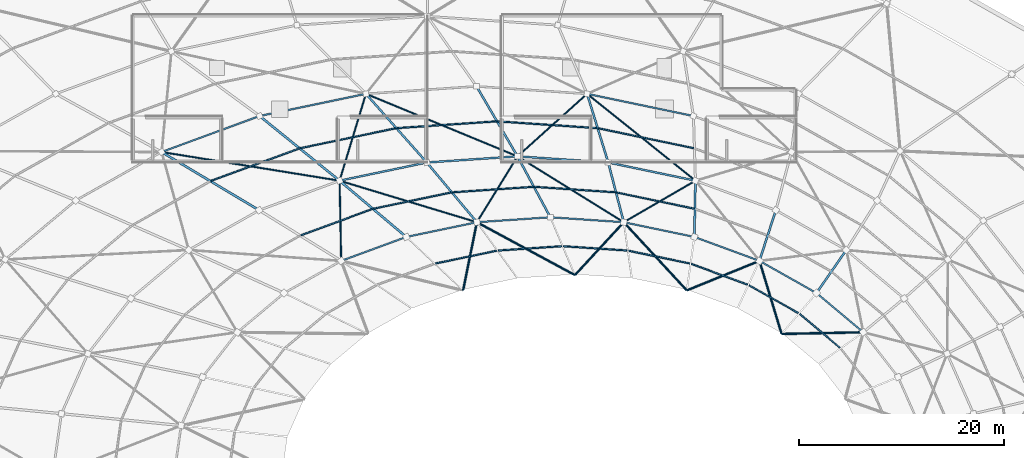
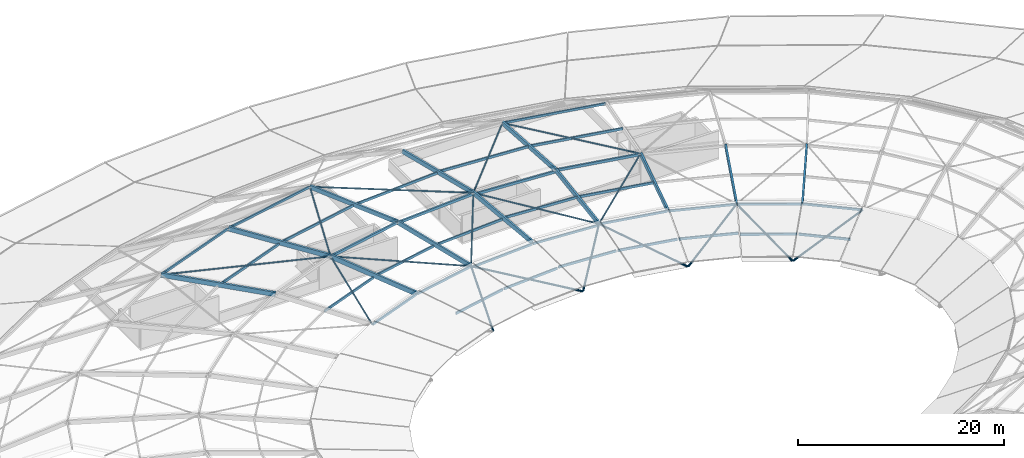
# One storey, part 7 of 30: 61 members.
"""IFC4 building model written with IfcOpenShell, lengths in metres."""

import ifcopenshell
import ifcopenshell.guid

model = None  # the IFC model being written
_history = None  # IfcOwnerHistory: only IFC2X3 demands one
_inside = {}  # id of a spatial element -> (the spatial element, [elements in it])
_under = {}  # id of a project, library or spatial element -> (it, [spatial elements below it])
_declared = {}  # id of a project -> (the project, [libraries it declares])
_typed = {}  # id of a type object -> (the type object, [elements of that type])
_made_of = {}  # id of a material, layer set ... -> (it, [elements and type objects made of it])


def new_model(schema):
    """Start an empty IFC model of exactly this schema.

    Asked for "IFC4X3", IfcOpenShell would pick the latest addendum, in which some entities
    have other attributes; the version numbers below select the first issue.
    IFC2X3 requires an IfcOwnerHistory on every rooted entity: one is made here for all.
    """
    global model, _history
    if schema == "IFC4X3":
        model = ifcopenshell.file(schema_version=(4, 3, 0, 0))
    else:
        model = ifcopenshell.file(schema=schema)
    _inside.clear()
    _under.clear()
    _declared.clear()
    _typed.clear()
    _made_of.clear()
    _history = None
    if model.schema == "IFC2X3":
        org = make("IfcOrganization", Name="unknown")
        user = make(
            "IfcPersonAndOrganization",
            ThePerson=make("IfcPerson", FamilyName="unknown"),
            TheOrganization=org,
        )
        app = make(
            "IfcApplication",
            ApplicationDeveloper=org,
            Version="unknown",
            ApplicationFullName="unknown",
            ApplicationIdentifier="unknown",
        )
        _history = make(
            "IfcOwnerHistory",
            OwningUser=user,
            OwningApplication=app,
            ChangeAction="ADDED",
            CreationDate=0,
        )
    return model


def make(cls, **values):
    """One entity of the class cls with the attributes given. An attribute that is None is left unset."""
    return model.create_entity(
        cls, **{name: value for name, value in values.items() if value is not None}
    )


def rooted(cls, **values):
    """An entity with a GlobalId (a new one), such as an element, a storey or a relation."""
    return make(cls, GlobalId=ifcopenshell.guid.new(), OwnerHistory=_history, **values)


def si_unit(unit_type, name, prefix=None):
    """IfcSIUnit, for example si_unit("LENGTHUNIT", "METRE", prefix="MILLI")."""
    return make("IfcSIUnit", UnitType=unit_type, Prefix=prefix, Name=name)


def assignment(units):
    """IfcUnitAssignment: the units of a project."""
    return None if units is None else make("IfcUnitAssignment", Units=units)


def point(xyz):
    """IfcCartesianPoint."""
    return None if xyz is None else make("IfcCartesianPoint", Coordinates=xyz)


def direction(xyz):
    """IfcDirection."""
    return None if xyz is None else make("IfcDirection", DirectionRatios=xyz)


def frame(location, z_axis=None, x_axis=None):
    """IfcAxis2Placement3D, a coordinate frame: its origin and axes. An axis left out is left unset."""
    return make(
        "IfcAxis2Placement3D",
        Location=point(location),
        Axis=direction(z_axis),
        RefDirection=direction(x_axis),
    )


def frame_2d(location, x_axis=None):
    """IfcAxis2Placement2D, a coordinate frame in the plane: its origin and x axis."""
    return make(
        "IfcAxis2Placement2D", Location=point(location), RefDirection=direction(x_axis)
    )


def origin():
    """The frame at (0, 0, 0) with its axes left unset."""
    return frame((0.0, 0.0, 0.0))


def origin_2d():
    """The frame at (0, 0) in the plane with its x axis left unset."""
    return frame_2d((0.0, 0.0))


def place(relative_to, where):
    """IfcLocalPlacement: puts the frame where relative to a parent placement (None: the world)."""
    return make(
        "IfcLocalPlacement", PlacementRelTo=relative_to, RelativePlacement=where
    )


def context(
    kind, dimensions, precision=None, world=None, true_north=None, identifier=None
):
    """IfcGeometricRepresentationContext, for example the 3D "Model" context."""
    return make(
        "IfcGeometricRepresentationContext",
        ContextIdentifier=identifier,
        ContextType=kind,
        CoordinateSpaceDimension=dimensions,
        Precision=precision,
        WorldCoordinateSystem=world,
        TrueNorth=true_north,
    )


def subcontext(parent, identifier, kind, view, scale=None):
    """IfcGeometricRepresentationSubContext, for example "Body" below "Model"."""
    return make(
        "IfcGeometricRepresentationSubContext",
        ContextIdentifier=identifier,
        ContextType=kind,
        ParentContext=parent,
        TargetScale=scale,
        TargetView=view,
    )


def project(units=None, contexts=None):
    """IfcProject with its units and contexts."""
    return rooted(
        "IfcProject",
        Name="project",
        RepresentationContexts=contexts,
        UnitsInContext=assignment(units),
    )


def spatial(cls, under=None, at=None, **own):
    """A site, building, storey or space (cls), placed at a placement, below another one or the project."""
    s = rooted(cls, ObjectPlacement=at, **own)
    if under is not None:
        _under.setdefault(under.id(), (under, []))[1].append(s)
    return s


def profile(cls, at=None, kind="AREA", **sizes):
    """A parametric profile (cls). Its sizes go by their IFC names, for example OverallWidth=200.0."""
    return make(cls, ProfileType=kind, Position=at, **sizes)


def rectangle(**sizes):
    """IfcRectangleProfileDef."""
    return profile("IfcRectangleProfileDef", **sizes)


def hollow_rectangle(**sizes):
    """IfcRectangleHollowProfileDef."""
    return profile("IfcRectangleHollowProfileDef", **sizes)


def hollow_circle(**sizes):
    """IfcCircleHollowProfileDef."""
    return profile("IfcCircleHollowProfileDef", **sizes)


def extrude(swept, where, along, depth):
    """IfcExtrudedAreaSolid: the profile swept, set in the frame where, extruded along a direction by depth."""
    return make(
        "IfcExtrudedAreaSolid",
        SweptArea=swept,
        Position=where,
        ExtrudedDirection=direction(along),
        Depth=depth,
    )


def shape(context_of_items, identifier, shape_type, items):
    """IfcShapeRepresentation: the items that make up one representation, for example the "Body"."""
    return make(
        "IfcShapeRepresentation",
        ContextOfItems=context_of_items,
        RepresentationIdentifier=identifier,
        RepresentationType=shape_type,
        Items=items,
    )


def material(Name=None, Category=None):
    """IfcMaterial."""
    return make("IfcMaterial", Name=Name, Category=Category)


def material_profile(
    of_material, cross_section, Name=None, Category=None, Priority=None
):
    """IfcMaterialProfile: a cross section and its material."""
    return make(
        "IfcMaterialProfile",
        Name=Name,
        Material=of_material,
        Profile=cross_section,
        Priority=Priority,
        Category=Category,
    )


def profile_set(profiles, Name=None, composite=None):
    """IfcMaterialProfileSet."""
    return make(
        "IfcMaterialProfileSet",
        Name=Name,
        MaterialProfiles=profiles,
        CompositeProfile=composite,
    )


def made_of(thing, what):
    """Note that an element or type object is made of a material, layer set ...; save() writes the relation."""
    if what is not None:
        _made_of.setdefault(what.id(), (what, []))[1].append(thing)
    return thing


def type_object(cls, material=None, **own):
    """A type object (cls), such as IfcWallType, which elements share."""
    return made_of(rooted(cls, **own), material)


def element(
    cls,
    number,
    at=None,
    inside=None,
    cuts=None,
    type_object=None,
    material=None,
    context=None,
    identifier="Body",
    shape_type=None,
    held_by="IfcProductDefinitionShape",
    body=None,
    shapes=None,
    **own,
):
    """One element of the class cls, such as IfcWall. Its Tag is "e" and its number.

    at: its placement. inside: the storey or other place that contains it. cuts: it is an
    opening in that element (IfcRelVoidsElement). A single representation is given by context,
    identifier, shape_type and body (its items); several are given by shapes. held_by: the class
    of the entity that holds the representations. save() writes the other relations.
    """
    e = rooted(cls, Tag="e%d" % number, ObjectPlacement=at, **own)
    if body is not None:
        shapes = [shape(context, identifier, shape_type, body)]
    if shapes is not None:
        e.Representation = make(held_by, Representations=shapes)
    if inside is not None:
        _inside.setdefault(inside.id(), (inside, []))[1].append(e)
    if cuts is not None:
        rooted(
            "IfcRelVoidsElement", RelatingBuildingElement=cuts, RelatedOpeningElement=e
        )
    if type_object is not None:
        _typed.setdefault(type_object.id(), (type_object, []))[1].append(e)
    return made_of(e, material)


def aggregate(whole, parts):
    """IfcRelAggregates: a whole, such as a stair, and the parts it consists of."""
    return rooted("IfcRelAggregates", RelatingObject=whole, RelatedObjects=parts)


def save(model, path):
    """Write the relations noted so far, then the file.

    IfcRelAggregates (storeys below a building ...), IfcRelContainedInSpatialStructure (elements
    in a storey), IfcRelDefinesByType, IfcRelAssociatesMaterial and IfcRelDeclares: one each for
    every whole, place, type object, material and project.
    """
    for whole, parts in _under.values():
        aggregate(whole, parts)
    for where, things in _inside.values():
        rooted(
            "IfcRelContainedInSpatialStructure",
            RelatedElements=things,
            RelatingStructure=where,
        )
    for kind, things in _typed.values():
        rooted("IfcRelDefinesByType", RelatedObjects=things, RelatingType=kind)
    for what, things in _made_of.values():
        rooted("IfcRelAssociatesMaterial", RelatedObjects=things, RelatingMaterial=what)
    for by, libraries in _declared.values():
        rooted("IfcRelDeclares", RelatingContext=by, RelatedDefinitions=libraries)
    model.write(path)


model = new_model("IFC4")

# Units and contexts
model_context = context("Model", 3, precision=1e-05, world=origin(), true_north=direction((0.0, 1.0)))
body_context = subcontext(model_context, "Body", "Model", "MODEL_VIEW")
ifc_project = project(units=[si_unit("LENGTHUNIT", "METRE"), si_unit("AREAUNIT", "SQUARE_METRE"), si_unit("VOLUMEUNIT", "CUBIC_METRE"), si_unit("PLANEANGLEUNIT", "RADIAN"), si_unit("MASSUNIT", "GRAM", prefix="KILO")], contexts=[model_context])

# Site, building, storey
site_placement = place(None, origin())
site = spatial("IfcSite", under=ifc_project, at=site_placement, CompositionType="ELEMENT")
building_placement = place(site_placement, origin())
building = spatial("IfcBuilding", under=site, at=building_placement, Name="Namkhue Oval Health Centre", CompositionType="ELEMENT")
storey_placement = place(building_placement, frame((0.0, 0.0, 26.39990234375)))
storey = spatial("IfcBuildingStorey", under=building, at=storey_placement, Name="RF", CompositionType="ELEMENT", Elevation=26.39990234375)

# Members
ifc_material_1 = material(Name="Structural steel EN 10025-2 S355JR (TCVN 5575:2024)", Category="steel")
ifc_material_profile_1 = material_profile(ifc_material_1, hollow_circle(Radius=0.084228515625, WallThickness=0.008056640625, at=origin_2d()), Name="CHS 168.3x8")
ifc_profile_set_1 = profile_set([ifc_material_profile_1], Name="Structural steel EN 10025-2 S355JR (TCVN 5575:2024)")
member_type_1 = type_object("IfcMemberType", Name="DIAGONAL BRACE CHS 168", PredefinedType="BRACE", material=ifc_profile_set_1)
member_1_placement = place(storey_placement, frame((102.0107421875, 96.6669921875, 7.17529296875), z_axis=(0.77014658579, -0.617399982795, -0.160285675096), x_axis=(0.625487113752, 0.780234497142, 0.0)))
element("IfcMember", 1, at=member_1_placement, inside=storey, type_object=member_type_1, Name="Gridshell Diagonal Brace K3-7", PredefinedType="BRACE", context=body_context, shape_type="SweptSolid", body=[
    extrude(hollow_circle(Radius=0.084228515625, WallThickness=0.008056640625, at=origin_2d()), origin(), (0.0, 0.0, 1.0), 13.665771484375),
])
member_2_placement = place(storey_placement, frame((101.966064453125, 96.666015625, 7.173095703125), z_axis=(-0.723042605411, -0.649835359534, -0.234357411361), x_axis=(0.668451393492, -0.743755829919, 0.0)))
element("IfcMember", 2, at=member_2_placement, inside=storey, type_object=member_type_1, Name="Gridshell Diagonal Brace K3-8", PredefinedType="BRACE", context=body_context, shape_type="SweptSolid", body=[
    extrude(hollow_circle(Radius=0.084228515625, WallThickness=0.008056640625, at=origin_2d()), origin(), (0.0, 0.0, 1.0), 9.327880859375),
])
member_3_placement = place(storey_placement, frame((80.439697265625, 96.67431640625, 7.176025390625), z_axis=(0.915800397059, -0.377817364617, -0.136248566016), x_axis=(0.381373796021, 0.924420914794, 0.0)))
element("IfcMember", 3, at=member_3_placement, inside=storey, type_object=member_type_1, Name="Gridshell Diagonal Brace K3-9", PredefinedType="BRACE", context=body_context, shape_type="SweptSolid", body=[
    extrude(hollow_circle(Radius=0.084228515625, WallThickness=0.008056640625, at=origin_2d()), origin(), (0.0, 0.0, 1.0), 16.08740234375),
])
member_4_placement = place(storey_placement, frame((80.40380859375, 96.65771484375, 7.1728515625), z_axis=(-0.281738687173, -0.928706160959, -0.241097861349), x_axis=(0.956934967866, -0.29030237215, 0.0)))
element("IfcMember", 4, at=member_4_placement, inside=storey, type_object=member_type_1, Name="Gridshell Diagonal Brace K3-10", PredefinedType="BRACE", context=body_context, shape_type="SweptSolid", body=[
    extrude(hollow_circle(Radius=0.084228515625, WallThickness=0.008056640625, at=origin_2d()), origin(), (0.0, 0.0, 1.0), 9.06494140625),
])
member_5_placement = place(storey_placement, frame((60.508544921875, 91.00439453125, 7.176513671875), z_axis=(0.979625758721, -0.157873515571, -0.124134306019), x_axis=(0.159104118273, 0.98726180902, 0.0)))
element("IfcMember", 5, at=member_5_placement, inside=storey, type_object=member_type_1, Name="Gridshell Diagonal Brace K3-11", PredefinedType="BRACE", context=body_context, shape_type="SweptSolid", body=[
    extrude(hollow_circle(Radius=0.084228515625, WallThickness=0.008056640625, at=origin_2d()), origin(), (0.0, 0.0, 1.0), 17.663330078125),
])
member_6_placement = place(storey_placement, frame((112.53466796875, 88.197265625, 4.968505859375), z_axis=(-0.797658632058, -0.461972035014, -0.387714515551), x_axis=(0.501174123411, -0.865346461265, 0.0)))
element("IfcMember", 6, at=member_6_placement, inside=storey, type_object=member_type_1, Name="Gridshell Diagonal Brace K4-7", PredefinedType="BRACE", context=body_context, shape_type="SweptSolid", body=[
    extrude(hollow_circle(Radius=0.084228515625, WallThickness=0.008056640625, at=origin_2d()), origin(), (0.0, 0.0, 1.0), 8.709228515625),
])
member_7_placement = place(storey_placement, frame((95.224609375, 90.56982421875, 4.971923828125), z_axis=(0.818696289096, -0.507545579872, -0.268577494541), x_axis=(0.526905084117, 0.84992413328, 0.0)))
element("IfcMember", 7, at=member_7_placement, inside=storey, type_object=member_type_1, Name="Gridshell Diagonal Brace K4-8", PredefinedType="BRACE", context=body_context, shape_type="SweptSolid", body=[
    extrude(hollow_circle(Radius=0.084228515625, WallThickness=0.008056640625, at=origin_2d()), origin(), (0.0, 0.0, 1.0), 12.598876953125),
])
member_8_placement = place(storey_placement, frame((95.185546875, 90.561767578125, 4.9677734375), z_axis=(-0.478726313764, -0.776007097637, -0.410650826039), x_axis=(0.851078442536, -0.525038555395, 0.0)))
element("IfcMember", 8, at=member_8_placement, inside=storey, type_object=member_type_1, Name="Gridshell Diagonal Brace K4-9", PredefinedType="BRACE", context=body_context, shape_type="SweptSolid", body=[
    extrude(hollow_circle(Radius=0.084228515625, WallThickness=0.008056640625, at=origin_2d()), origin(), (0.0, 0.0, 1.0), 8.219970703125),
])
member_9_placement = place(storey_placement, frame((77.869384765625, 88.20263671875, 4.972900390625), z_axis=(0.930125798411, -0.281300193879, -0.236085154243), x_axis=(0.289483197646, 0.957183095484, 0.0)))
element("IfcMember", 9, at=member_9_placement, inside=storey, type_object=member_type_1, Name="Gridshell Diagonal Brace K4-10", PredefinedType="BRACE", context=body_context, shape_type="SweptSolid", body=[
    extrude(hollow_circle(Radius=0.084228515625, WallThickness=0.008056640625, at=origin_2d()), origin(), (0.0, 0.0, 1.0), 14.34130859375),
])
member_10_placement = place(storey_placement, frame((77.842041015625, 88.18359375, 4.968017578125), z_axis=(0.018506939518, -0.916929489413, -0.398619874862), x_axis=(0.999796373326, 0.02017949169, 0.0)))
element("IfcMember", 10, at=member_10_placement, inside=storey, type_object=member_type_1, Name="Gridshell Diagonal Brace K4-11", PredefinedType="BRACE", context=body_context, shape_type="SweptSolid", body=[
    extrude(hollow_circle(Radius=0.084228515625, WallThickness=0.008056640625, at=origin_2d()), origin(), (0.0, 0.0, 1.0), 8.46923828125),
])
ifc_material_profile_2 = material_profile(ifc_material_1, hollow_circle(Radius=0.109619140625, WallThickness=0.010009765625, at=origin_2d()), Name="CHS 219.1x10")
ifc_profile_set_2 = profile_set([ifc_material_profile_2], Name="Structural steel EN 10025-2 S355JR (TCVN 5575:2024)")
member_type_2 = type_object("IfcMemberType", Name="DIAGONAL BRACE CHS 219", PredefinedType="BRACE", material=ifc_profile_set_2)
member_11_placement = place(storey_placement, frame((128.90380859375, 73.4248046875, 1.56884765625), z_axis=(-0.927837446062, -0.0191755171, -0.372491574709), x_axis=(0.020662480658, -0.999786508157, 0.0)))
element("IfcMember", 11, at=member_11_placement, inside=storey, type_object=member_type_2, Name="Gridshell Diagonal Brace K5-4", PredefinedType="BRACE", context=body_context, shape_type="SweptSolid", body=[
    extrude(hollow_circle(Radius=0.109619140625, WallThickness=0.010009765625, at=origin_2d()), origin(), (0.0, 0.0, 1.0), 8.5302734375),
])
member_12_placement = place(storey_placement, frame((118.80859375, 80.364013671875, 1.568359375), z_axis=(0.26643628453, -0.879333778855, -0.394694580215), x_axis=(0.957033012036, 0.289978988675, 0.0)))
element("IfcMember", 12, at=member_12_placement, inside=storey, type_object=member_type_2, Name="Gridshell Diagonal Brace K5-5", PredefinedType="BRACE", context=body_context, shape_type="SweptSolid", body=[
    extrude(hollow_circle(Radius=0.109619140625, WallThickness=0.010009765625, at=origin_2d()), origin(), (0.0, 0.0, 1.0), 8.048095703125),
])
member_13_placement = place(storey_placement, frame((118.77490234375, 80.3798828125, 1.568603515625), z_axis=(-0.854717056622, -0.347276983634, -0.385820489032), x_axis=(0.376421871442, -0.926448365912, 0.0)))
element("IfcMember", 13, at=member_13_placement, inside=storey, type_object=member_type_2, Name="Gridshell Diagonal Brace K5-6", PredefinedType="BRACE", context=body_context, shape_type="SweptSolid", body=[
    extrude(hollow_circle(Radius=0.109619140625, WallThickness=0.010009765625, at=origin_2d()), origin(), (0.0, 0.0, 1.0), 8.234375),
])
member_14_placement = place(storey_placement, frame((105.5830078125, 84.13916015625, 1.570068359375), z_axis=(0.640028871218, -0.692362780198, -0.333161859468), x_axis=(0.734314420642, 0.678809495836, 0.0)))
element("IfcMember", 14, at=member_14_placement, inside=storey, type_object=member_type_2, Name="Gridshell Diagonal Brace K5-7", PredefinedType="BRACE", context=body_context, shape_type="SweptSolid", body=[
    extrude(hollow_circle(Radius=0.109619140625, WallThickness=0.010009765625, at=origin_2d()), origin(), (0.0, 0.0, 1.0), 9.544677734375),
])
member_15_placement = place(storey_placement, frame((105.545166015625, 84.139892578125, 1.567626953125), z_axis=(-0.617379750339, -0.668466649101, -0.414722296134), x_axis=(0.734620689477, -0.678478033979, 0.0)))
element("IfcMember", 15, at=member_15_placement, inside=storey, type_object=member_type_2, Name="Gridshell Diagonal Brace K5-8", PredefinedType="BRACE", context=body_context, shape_type="SweptSolid", body=[
    extrude(hollow_circle(Radius=0.109619140625, WallThickness=0.010009765625, at=origin_2d()), origin(), (0.0, 0.0, 1.0), 7.65576171875),
])
member_16_placement = place(storey_placement, frame((91.26171875, 84.146240234375, 1.571533203125), z_axis=(0.844303638001, -0.45535842301, -0.282489067846), x_axis=(0.474692398551, 0.88015176348, 0.0)))
element("IfcMember", 16, at=member_16_placement, inside=storey, type_object=member_type_2, Name="Gridshell Diagonal Brace K5-9", PredefinedType="BRACE", context=body_context, shape_type="SweptSolid", body=[
    extrude(hollow_circle(Radius=0.109619140625, WallThickness=0.010009765625, at=origin_2d()), origin(), (0.0, 0.0, 1.0), 11.26708984375),
])
member_17_placement = place(storey_placement, frame((91.23095703125, 84.13330078125, 1.5673828125), z_axis=(-0.179615966387, -0.886433499868, -0.426583819348), x_axis=(0.98008229015, -0.198591803796, 0.0)))
element("IfcMember", 17, at=member_17_placement, inside=storey, type_object=member_type_2, Name="Gridshell Diagonal Brace K5-10", PredefinedType="BRACE", context=body_context, shape_type="SweptSolid", body=[
    extrude(hollow_circle(Radius=0.109619140625, WallThickness=0.010009765625, at=origin_2d()), origin(), (0.0, 0.0, 1.0), 7.44189453125),
])
ifc_material_2 = material(Name="Glulam timber GL28h", Category="wood")
ifc_material_profile_3 = material_profile(ifc_material_2, rectangle(XDim=0.199951171875, YDim=0.47998046875, at=origin_2d()), Name="GL28h 200x480")
ifc_profile_set_3 = profile_set([ifc_material_profile_3], Name="Glulam timber GL28h")
member_type_3 = type_object("IfcMemberType", Name="GRIDSHELL ARCH RIB GL28H 200X480", PredefinedType="USERDEFINED", material=ifc_profile_set_3)
member_18_placement = place(storey_placement, frame((127.2744140625, 81.451171875, 5.0), z_axis=(-0.474060569261, -0.684378453769, -0.553978978562), x_axis=(0.822045950812, -0.569421157628, 0.0)))
element("IfcMember", 18, at=member_18_placement, inside=storey, type_object=member_type_3, Name="Gridshell Glulam Arch Rib K4-5", ObjectType="ARCH_SEGMENT", PredefinedType="USERDEFINED", context=body_context, shape_type="SweptSolid", body=[
    extrude(rectangle(XDim=0.199951171875, YDim=0.47998046875, at=origin_2d()), origin(), (0.0, 0.0, 1.0), 6.13720703125),
])
member_19_placement = place(storey_placement, frame((120.400634765625, 85.329345703125, 5.0), z_axis=(-0.257835485953, -0.79585167544, -0.547851232436), x_axis=(0.951320489233, -0.30820338539, 0.0)))
element("IfcMember", 19, at=member_19_placement, inside=storey, type_object=member_type_3, Name="Gridshell Glulam Arch Rib K4-6", ObjectType="ARCH_SEGMENT", PredefinedType="USERDEFINED", context=body_context, shape_type="SweptSolid", body=[
    extrude(rectangle(XDim=0.199951171875, YDim=0.47998046875, at=origin_2d()), origin(), (0.0, 0.0, 1.0), 6.205810546875),
])
member_20_placement = place(storey_placement, frame((112.55859375, 88.211181640625, 5.0), z_axis=(-0.016486506023, -0.849962574262, -0.526585052459), x_axis=(0.999811936236, -0.019393095658, 0.0)))
element("IfcMember", 20, at=member_20_placement, inside=storey, type_object=member_type_3, Name="Gridshell Glulam Arch Rib K4-7", ObjectType="ARCH_SEGMENT", PredefinedType="USERDEFINED", context=body_context, shape_type="SweptSolid", body=[
    extrude(rectangle(XDim=0.199951171875, YDim=0.47998046875, at=origin_2d()), origin(), (0.0, 0.0, 1.0), 6.45654296875),
])
member_21_placement = place(storey_placement, frame((101.98779296875, 96.685546875, 7.2001953125), z_axis=(0.280598056719, -0.911910453871, -0.299472961529), x_axis=(0.955775996438, 0.294095638581, 0.0)))
element("IfcMember", 21, at=member_21_placement, inside=storey, type_object=member_type_3, Name="Gridshell Glulam Arch Rib K3-8", ObjectType="ARCH_SEGMENT", PredefinedType="USERDEFINED", context=body_context, shape_type="SweptSolid", body=[
    extrude(rectangle(XDim=0.199951171875, YDim=0.47998046875, at=origin_2d()), origin(), (0.0, 0.0, 1.0), 7.346923828125),
])
member_22_placement = place(storey_placement, frame((104.04931640625, 89.98583984375, 5.0), z_axis=(0.219055559115, -0.842708819469, -0.491789088544), x_axis=(0.967836136147, 0.251581425325, 0.0)))
element("IfcMember", 22, at=member_22_placement, inside=storey, type_object=member_type_3, Name="Gridshell Glulam Arch Rib K4-8", ObjectType="ARCH_SEGMENT", PredefinedType="USERDEFINED", context=body_context, shape_type="SweptSolid", body=[
    extrude(rectangle(XDim=0.199951171875, YDim=0.47998046875, at=origin_2d()), origin(), (0.0, 0.0, 1.0), 6.913330078125),
])
member_23_placement = place(storey_placement, frame((91.199951171875, 97.416015625, 7.2001953125), z_axis=(0.486849466364, -0.831423832328, -0.267790978447), x_axis=(0.862940998502, 0.505304693333, 0.0)))
element("IfcMember", 23, at=member_23_placement, inside=storey, type_object=member_type_3, Name="Gridshell Glulam Arch Rib K3-9", ObjectType="ARCH_SEGMENT", PredefinedType="USERDEFINED", context=body_context, shape_type="SweptSolid", body=[
    extrude(rectangle(XDim=0.199951171875, YDim=0.47998046875, at=origin_2d()), origin(), (0.0, 0.0, 1.0), 8.216064453125),
])
member_24_placement = place(storey_placement, frame((95.199951171875, 90.5849609375, 5.0), z_axis=(0.423539614691, -0.786199650982, -0.450004781734), x_axis=(0.880376968813, 0.474274596393, 0.0)))
element("IfcMember", 24, at=member_24_placement, inside=storey, type_object=member_type_3, Name="Gridshell Glulam Arch Rib K4-9", ObjectType="ARCH_SEGMENT", PredefinedType="USERDEFINED", context=body_context, shape_type="SweptSolid", body=[
    extrude(rectangle(XDim=0.199951171875, YDim=0.47998046875, at=origin_2d()), origin(), (0.0, 0.0, 1.0), 7.55517578125),
])
member_25_placement = place(storey_placement, frame((80.412353515625, 96.685546875, 7.2001953125), z_axis=(0.644131380725, -0.726729981905, -0.238659376027), x_axis=(0.748354938077, 0.663298489864, 0.0)))
element("IfcMember", 25, at=member_25_placement, inside=storey, type_object=member_type_3, Name="Gridshell Glulam Arch Rib K3-10", ObjectType="ARCH_SEGMENT", PredefinedType="USERDEFINED", context=body_context, shape_type="SweptSolid", body=[
    extrude(rectangle(XDim=0.199951171875, YDim=0.47998046875, at=origin_2d()), origin(), (0.0, 0.0, 1.0), 9.218994140625),
])
member_26_placement = place(storey_placement, frame((86.3505859375, 89.98583984375, 5.0), z_axis=(0.586598295518, -0.699480068256, -0.408203471087), x_axis=(0.766225200981, 0.642572129323, 0.0)))
element("IfcMember", 26, at=member_26_placement, inside=storey, type_object=member_type_3, Name="Gridshell Glulam Arch Rib K4-10", ObjectType="ARCH_SEGMENT", PredefinedType="USERDEFINED", context=body_context, shape_type="SweptSolid", body=[
    extrude(rectangle(XDim=0.199951171875, YDim=0.47998046875, at=origin_2d()), origin(), (0.0, 0.0, 1.0), 8.328857421875),
])
ifc_material_profile_4 = material_profile(ifc_material_2, rectangle(XDim=0.219970703125, YDim=0.52001953125, at=origin_2d()), Name="GL28h 220x520")
ifc_profile_set_4 = profile_set([ifc_material_profile_4], Name="Glulam timber GL28h")
member_type_4 = type_object("IfcMemberType", Name="GRIDSHELL ARCH RIB GL28H 220X520", PredefinedType="USERDEFINED", material=ifc_profile_set_4)
member_27_placement = place(storey_placement, frame((70.0390625, 94.522216796875, 7.2001953125), z_axis=(0.75946265504, -0.61429048571, -0.21415806024), x_axis=(0.628881144646, 0.777501450744, 0.0)))
element("IfcMember", 27, at=member_27_placement, inside=storey, type_object=member_type_4, Name="Gridshell Glulam Arch Rib K3-11", ObjectType="ARCH_SEGMENT", PredefinedType="USERDEFINED", context=body_context, shape_type="SweptSolid", body=[
    extrude(rectangle(XDim=0.219970703125, YDim=0.52001953125, at=origin_2d()), origin(), (0.0, 0.0, 1.0), 10.273681640625),
])
member_28_placement = place(storey_placement, frame((77.841552734375, 88.211181640625, 5.0), z_axis=(0.709867909534, -0.598739619906, -0.370942608187), x_axis=(0.64473793689, 0.764403684407, 0.0)))
element("IfcMember", 28, at=member_28_placement, inside=storey, type_object=member_type_4, Name="Gridshell Glulam Arch Rib K4-11", ObjectType="ARCH_SEGMENT", PredefinedType="USERDEFINED", context=body_context, shape_type="SweptSolid", body=[
    extrude(rectangle(XDim=0.219970703125, YDim=0.52001953125, at=origin_2d()), origin(), (0.0, 0.0, 1.0), 9.16552734375),
])
member_29_placement = place(storey_placement, frame((60.479248046875, 91.009033203125, 7.2001953125), z_axis=(0.842346091201, -0.502547557719, -0.194676693181), x_axis=(0.512350113883, 0.858776665265, 0.0)))
element("IfcMember", 29, at=member_29_placement, inside=storey, type_object=member_type_4, Name="Gridshell Glulam Arch Rib K3-12", ObjectType="ARCH_SEGMENT", PredefinedType="USERDEFINED", context=body_context, shape_type="SweptSolid", body=[
    extrude(rectangle(XDim=0.219970703125, YDim=0.52001953125, at=origin_2d()), origin(), (0.0, 0.0, 1.0), 11.3017578125),
])
ifc_material_profile_5 = material_profile(ifc_material_1, hollow_rectangle(XDim=0.14990234375, YDim=0.25, WallThickness=0.008056640625, at=origin_2d()), Name="RHS 150x250x8")
ifc_profile_set_5 = profile_set([ifc_material_profile_5], Name="Structural steel EN 10025-2 S355JR (TCVN 5575:2024)")
member_type_5 = type_object("IfcMemberType", Name="GRIDSHELL HOOP PURLIN RHS 150X250", PredefinedType="PURLIN", material=ifc_profile_set_5)
for number, where, z_axis, x_axis, name in (
    (30, (112.302001953125, 94.534423828125, 7.17236328125), (-0.978935998517, 0.204167359797, 0.0), (-0.204167359797, -0.978935998517, 0.0), "Gridshell Hoop Purlin K3-7"),
    (31, (80.353515625, 96.67333984375, 7.1923828125), (-0.978935998517, -0.204167359797, 0.0), (0.204167359797, -0.978935998517, 0.0), "Gridshell Hoop Purlin K3-10"),
):
    element("IfcMember", number, at=place(storey_placement, frame(where, z_axis=z_axis, x_axis=x_axis)), inside=storey, type_object=member_type_5, Name=name, PredefinedType="PURLIN", context=body_context, shape_type="SweptSolid", body=[
        extrude(hollow_rectangle(XDim=0.14990234375, YDim=0.25, WallThickness=0.008056640625, at=origin_2d()), origin(), (0.0, 0.0, 1.0), 10.476318359375),
    ])
member_30_placement = place(storey_placement, frame((69.98291015625, 94.50146484375, 7.19970703125), z_axis=(-0.938632261845, -0.344919522532, 0.0), x_axis=(0.344919522532, -0.938632261845, 0.0)))
element("IfcMember", 32, at=member_30_placement, inside=storey, type_object=member_type_5, Name="Gridshell Hoop Purlin K3-11", PredefinedType="PURLIN", context=body_context, shape_type="SweptSolid", body=[
    extrude(hollow_rectangle(XDim=0.14990234375, YDim=0.25, WallThickness=0.008056640625, at=origin_2d()), origin(), (0.0, 0.0, 1.0), 10.065185546875),
])
member_31_placement = place(storey_placement, frame((128.885498046875, 73.4638671875, 1.55859375), z_axis=(-0.766559432201, 0.642173369818, 0.0), x_axis=(-0.642173369818, -0.766559432201, 0.0)))
element("IfcMember", 33, at=member_31_placement, inside=storey, type_object=member_type_5, Name="Gridshell Hoop Purlin K5-4", PredefinedType="PURLIN", context=body_context, shape_type="SweptSolid", body=[
    extrude(hollow_rectangle(XDim=0.14990234375, YDim=0.25, WallThickness=0.008056640625, at=origin_2d()), origin(), (0.0, 0.0, 1.0), 5.837158203125),
])
member_32_placement = place(storey_placement, frame((124.312744140625, 77.280517578125, 1.55712890625), z_axis=(-0.870938297401, 0.491392391191, 0.0), x_axis=(-0.491392391191, -0.870938297401, 0.0)))
element("IfcMember", 34, at=member_32_placement, inside=storey, type_object=member_type_5, Name="Gridshell Hoop Purlin K5-5", PredefinedType="PURLIN", context=body_context, shape_type="SweptSolid", body=[
    extrude(hollow_rectangle(XDim=0.14990234375, YDim=0.25, WallThickness=0.008056640625, at=origin_2d()), origin(), (0.0, 0.0, 1.0), 6.26904296875),
])
member_33_placement = place(storey_placement, frame((118.744140625, 80.4111328125, 1.555908203125), z_axis=(-0.938627028123, 0.344933764769, 0.0), x_axis=(-0.344933764769, -0.938627028123, 0.0)))
element("IfcMember", 35, at=member_33_placement, inside=storey, type_object=member_type_5, Name="Gridshell Hoop Purlin K5-6", PredefinedType="PURLIN", context=body_context, shape_type="SweptSolid", body=[
    extrude(hollow_rectangle(XDim=0.14990234375, YDim=0.25, WallThickness=0.008056640625, at=origin_2d()), origin(), (0.0, 0.0, 1.0), 6.643310546875),
])
member_34_placement = place(storey_placement, frame((112.393310546875, 82.735595703125, 1.556640625), z_axis=(-0.978936053101, 0.204167098083, 0.0), x_axis=(-0.204167098083, -0.978936053101, 0.0)))
element("IfcMember", 36, at=member_34_placement, inside=storey, type_object=member_type_5, Name="Gridshell Hoop Purlin K5-7", PredefinedType="PURLIN", context=body_context, shape_type="SweptSolid", body=[
    extrude(hollow_rectangle(XDim=0.14990234375, YDim=0.25, WallThickness=0.008056640625, at=origin_2d()), origin(), (0.0, 0.0, 1.0), 6.91650390625),
])
for number, where, z_axis, x_axis, name in (
    (37, (105.50390625, 84.1640625, 1.436767578125), (-0.997716855891, 0.067535734769, 0.0), (-0.067535734769, -0.997716855891, 0.0), "Gridshell Hoop Purlin K5-8"),
    (38, (98.340087890625, 84.640869140625, 1.425537109375), (-0.997716855891, -0.067535734769, 0.0), (0.067535734769, -0.997716855891, 0.0), "Gridshell Hoop Purlin K5-9"),
):
    element("IfcMember", number, at=place(storey_placement, frame(where, z_axis=z_axis, x_axis=x_axis)), inside=storey, type_object=member_type_5, Name=name, PredefinedType="PURLIN", context=body_context, shape_type="SweptSolid", body=[
        extrude(hollow_rectangle(XDim=0.14990234375, YDim=0.25, WallThickness=0.008056640625, at=origin_2d()), origin(), (0.0, 0.0, 1.0), 7.06005859375),
    ])
member_35_placement = place(storey_placement, frame((91.177490234375, 84.147705078125, 1.5791015625), z_axis=(-0.978937524418, -0.204160043313, 0.0), x_axis=(0.204160043313, -0.978937524418, 0.0)))
element("IfcMember", 39, at=member_35_placement, inside=storey, type_object=member_type_5, Name="Gridshell Hoop Purlin K5-10", PredefinedType="PURLIN", context=body_context, shape_type="SweptSolid", body=[
    extrude(hollow_rectangle(XDim=0.14990234375, YDim=0.25, WallThickness=0.008056640625, at=origin_2d()), origin(), (0.0, 0.0, 1.0), 6.916748046875),
])
member_36_placement = place(storey_placement, frame((84.29150390625, 82.70263671875, 1.58642578125), z_axis=(-0.938627028123, -0.344933764769, 0.0), x_axis=(0.344933764769, -0.938627028123, 0.0)))
element("IfcMember", 40, at=member_36_placement, inside=storey, type_object=member_type_5, Name="Gridshell Hoop Purlin K5-11", PredefinedType="PURLIN", context=body_context, shape_type="SweptSolid", body=[
    extrude(hollow_rectangle(XDim=0.14990234375, YDim=0.25, WallThickness=0.008056640625, at=origin_2d()), origin(), (0.0, 0.0, 1.0), 6.643310546875),
])
ifc_material_profile_6 = material_profile(ifc_material_1, hollow_rectangle(XDim=0.179931640625, YDim=0.300048828125, WallThickness=0.010009765625, at=origin_2d()), Name="RHS 180x300x10")
ifc_profile_set_6 = profile_set([ifc_material_profile_6], Name="Structural steel EN 10025-2 S355JR (TCVN 5575:2024)")
member_type_6 = type_object("IfcMemberType", Name="GRIDSHELL HOOP PURLIN RHS 180X300", PredefinedType="PURLIN", material=ifc_profile_set_6)
member_37_placement = place(storey_placement, frame((112.499755859375, 88.223388671875, 4.916748046875), z_axis=(-0.978940832684, 0.204144179696, 0.0), x_axis=(-0.204144179696, -0.978940832684, 0.0)))
element("IfcMember", 41, at=member_37_placement, inside=storey, type_object=member_type_6, Name="Gridshell Hoop Purlin K4-7", PredefinedType="PURLIN", context=body_context, shape_type="SweptSolid", body=[
    extrude(hollow_rectangle(XDim=0.179931640625, YDim=0.300048828125, WallThickness=0.010009765625, at=origin_2d()), origin(), (0.0, 0.0, 1.0), 8.572265625),
])
for number, where, z_axis, x_axis, name in (
    (42, (103.989501953125, 89.98974609375, 4.77294921875), (-0.997715602963, 0.067554241939, 0.0), (-0.067554241939, -0.997715602963, 0.0), "Gridshell Hoop Purlin K4-8"),
    (43, (95.14013671875, 90.580810546875, 4.87890625), (-0.997715602963, -0.067554241939, 0.0), (0.067554241939, -0.997715602963, 0.0), "Gridshell Hoop Purlin K4-9"),
):
    element("IfcMember", number, at=place(storey_placement, frame(where, z_axis=z_axis, x_axis=x_axis)), inside=storey, type_object=member_type_6, Name=name, PredefinedType="PURLIN", context=body_context, shape_type="SweptSolid", body=[
        extrude(hollow_rectangle(XDim=0.179931640625, YDim=0.300048828125, WallThickness=0.010009765625, at=origin_2d()), origin(), (0.0, 0.0, 1.0), 8.74951171875),
    ])
member_38_placement = place(storey_placement, frame((86.2919921875, 89.973388671875, 4.94873046875), z_axis=(-0.978940832684, -0.204144179696, 0.0), x_axis=(0.204144179696, -0.978940832684, 0.0)))
element("IfcMember", 44, at=member_38_placement, inside=storey, type_object=member_type_6, Name="Gridshell Hoop Purlin K4-10", PredefinedType="PURLIN", context=body_context, shape_type="SweptSolid", body=[
    extrude(hollow_rectangle(XDim=0.179931640625, YDim=0.300048828125, WallThickness=0.010009765625, at=origin_2d()), origin(), (0.0, 0.0, 1.0), 8.572265625),
])
ifc_material_profile_7 = material_profile(ifc_material_2, rectangle(XDim=0.139892578125, YDim=0.280029296875, at=origin_2d()), Name="GL28h 140x280")
ifc_profile_set_7 = profile_set([ifc_material_profile_7], Name="Glulam timber GL28h")
member_type_7 = type_object("IfcMemberType", Name="GRIDSHELL SUB PURLIN GL28H 140X280", PredefinedType="PURLIN", material=ifc_profile_set_7)
member_39_placement = place(storey_placement, frame((112.38134765625, 91.383056640625, 6.09228515625), z_axis=(-0.978938853686, 0.204153669434, 0.0), x_axis=(-0.204153669434, -0.978938853686, 0.0)))
element("IfcMember", 45, at=member_39_placement, inside=storey, type_object=member_type_7, Name="Gridshell Secondary Purlin K3-7", PredefinedType="PURLIN", context=body_context, shape_type="SweptSolid", body=[
    extrude(rectangle(XDim=0.139892578125, YDim=0.280029296875, at=origin_2d()), origin(), (0.0, 0.0, 1.0), 9.484375),
])
for number, where, z_axis, x_axis, name in (
    (46, (102.938720703125, 93.341064453125, 6.089599609375), (-0.997715208345, 0.067560069842, 0.0), (-0.067560069842, -0.997715208345, 0.0), "Gridshell Secondary Purlin K3-8"),
    (47, (93.1201171875, 93.9951171875, 6.0048828125), (-0.997715208345, -0.067560069842, 0.0), (0.067560069842, -0.997715208345, 0.0), "Gridshell Secondary Purlin K3-9"),
):
    element("IfcMember", number, at=place(storey_placement, frame(where, z_axis=z_axis, x_axis=x_axis)), inside=storey, type_object=member_type_7, Name=name, PredefinedType="PURLIN", context=body_context, shape_type="SweptSolid", body=[
        extrude(rectangle(XDim=0.139892578125, YDim=0.280029296875, at=origin_2d()), origin(), (0.0, 0.0, 1.0), 9.68115234375),
    ])
member_40_placement = place(storey_placement, frame((83.30322265625, 93.3193359375, 5.995361328125), z_axis=(-0.978938853686, -0.204153669434, 0.0), x_axis=(0.204153669434, -0.978938853686, 0.0)))
element("IfcMember", 48, at=member_40_placement, inside=storey, type_object=member_type_7, Name="Gridshell Secondary Purlin K3-10", PredefinedType="PURLIN", context=body_context, shape_type="SweptSolid", body=[
    extrude(rectangle(XDim=0.139892578125, YDim=0.280029296875, at=origin_2d()), origin(), (0.0, 0.0, 1.0), 9.484375),
])
member_41_placement = place(storey_placement, frame((73.865234375, 91.339111328125, 5.938232421875), z_axis=(-0.938634703535, -0.344912877869, 0.0), x_axis=(0.344912877869, -0.938634703535, 0.0)))
element("IfcMember", 49, at=member_41_placement, inside=storey, type_object=member_type_7, Name="Gridshell Secondary Purlin K3-11", PredefinedType="PURLIN", context=body_context, shape_type="SweptSolid", body=[
    extrude(rectangle(XDim=0.139892578125, YDim=0.280029296875, at=origin_2d()), origin(), (0.0, 0.0, 1.0), 9.10986328125),
])
member_42_placement = place(storey_placement, frame((112.427001953125, 85.483642578125, 3.25), z_axis=(-0.978942704107, 0.204135205382, 0.0), x_axis=(-0.204135205382, -0.978942704107, 0.0)))
element("IfcMember", 50, at=member_42_placement, inside=storey, type_object=member_type_7, Name="Gridshell Secondary Purlin K4-7", PredefinedType="PURLIN", context=body_context, shape_type="SweptSolid", body=[
    extrude(rectangle(XDim=0.139892578125, YDim=0.280029296875, at=origin_2d()), origin(), (0.0, 0.0, 1.0), 7.70458984375),
])
for number, where, z_axis, x_axis, name in (
    (51, (104.726806640625, 87.078369140625, 3.244873046875), (-0.997716088894, 0.067547064791, 0.0), (-0.067547064791, -0.997716088894, 0.0), "Gridshell Secondary Purlin K4-8"),
    (52, (96.72021484375, 87.609619140625, 3.12744140625), (-0.997716088894, -0.067547064791, 0.0), (0.067547064791, -0.997716088894, 0.0), "Gridshell Secondary Purlin K4-9"),
):
    element("IfcMember", number, at=place(storey_placement, frame(where, z_axis=z_axis, x_axis=x_axis)), inside=storey, type_object=member_type_7, Name=name, PredefinedType="PURLIN", context=body_context, shape_type="SweptSolid", body=[
        extrude(rectangle(XDim=0.139892578125, YDim=0.280029296875, at=origin_2d()), origin(), (0.0, 0.0, 1.0), 7.864990234375),
    ])
member_43_placement = place(storey_placement, frame((88.715087890625, 87.056396484375, 3.1123046875), z_axis=(-0.978941383562, -0.204141538033, 0.0), x_axis=(0.204141538033, -0.978941383562, 0.0)))
element("IfcMember", 53, at=member_43_placement, inside=storey, type_object=member_type_7, Name="Gridshell Secondary Purlin K4-10", PredefinedType="PURLIN", context=body_context, shape_type="SweptSolid", body=[
    extrude(rectangle(XDim=0.139892578125, YDim=0.280029296875, at=origin_2d()), origin(), (0.0, 0.0, 1.0), 7.704345703125),
])
member_44_placement = place(storey_placement, frame((81.01953125, 85.439697265625, 3.033447265625), z_axis=(-0.938626161484, -0.344936123041, 0.0), x_axis=(0.344936123041, -0.938626161484, 0.0)))
element("IfcMember", 54, at=member_44_placement, inside=storey, type_object=member_type_7, Name="Gridshell Secondary Purlin K4-11", PredefinedType="PURLIN", context=body_context, shape_type="SweptSolid", body=[
    extrude(rectangle(XDim=0.139892578125, YDim=0.280029296875, at=origin_2d()), origin(), (0.0, 0.0, 1.0), 7.399169921875),
])
member_45_placement = place(storey_placement, frame((126.657958984375, 71.9091796875, -0.21240234375), z_axis=(-0.766573018358, 0.642157151736, 0.0), x_axis=(-0.642157151736, -0.766573018358, 0.0)))
element("IfcMember", 55, at=member_45_placement, inside=storey, type_object=member_type_7, Name="Gridshell Secondary Purlin K5-4", PredefinedType="PURLIN", context=body_context, shape_type="SweptSolid", body=[
    extrude(rectangle(XDim=0.139892578125, YDim=0.280029296875, at=origin_2d()), origin(), (0.0, 0.0, 1.0), 5.13134765625),
])
member_46_placement = place(storey_placement, frame((122.59326171875, 75.295166015625, -0.20849609375), z_axis=(-0.870932802477, 0.491402130204, 0.0), x_axis=(-0.491402130204, -0.870932802477, 0.0)))
element("IfcMember", 56, at=member_46_placement, inside=storey, type_object=member_type_7, Name="Gridshell Secondary Purlin K5-5", PredefinedType="PURLIN", context=body_context, shape_type="SweptSolid", body=[
    extrude(rectangle(XDim=0.139892578125, YDim=0.280029296875, at=origin_2d()), origin(), (0.0, 0.0, 1.0), 5.5146484375),
])
member_47_placement = place(storey_placement, frame((117.6455078125, 78.072021484375, -0.055908203125), z_axis=(-0.938625075233, 0.344939078889, 0.0), x_axis=(-0.344939078889, -0.938625075233, 0.0)))
element("IfcMember", 57, at=member_47_placement, inside=storey, type_object=member_type_7, Name="Gridshell Secondary Purlin K5-6", PredefinedType="PURLIN", context=body_context, shape_type="SweptSolid", body=[
    extrude(rectangle(XDim=0.139892578125, YDim=0.280029296875, at=origin_2d()), origin(), (0.0, 0.0, 1.0), 5.84765625),
])
member_48_placement = place(storey_placement, frame((112.00341796875, 80.1328125, -0.054931640625), z_axis=(-0.978936374071, 0.204165559097, 0.0), x_axis=(-0.204165559097, -0.978936374071, 0.0)))
element("IfcMember", 58, at=member_48_placement, inside=storey, type_object=member_type_7, Name="Gridshell Secondary Purlin K5-7", PredefinedType="PURLIN", context=body_context, shape_type="SweptSolid", body=[
    extrude(rectangle(XDim=0.139892578125, YDim=0.280029296875, at=origin_2d()), origin(), (0.0, 0.0, 1.0), 6.090087890625),
])
member_49_placement = place(storey_placement, frame((105.88330078125, 81.39794921875, -0.05224609375), z_axis=(-0.997714236022, 0.067574427398, 0.0), x_axis=(-0.067574427398, -0.997714236022, 0.0)))
element("IfcMember", 59, at=member_49_placement, inside=storey, type_object=member_type_7, Name="Gridshell Secondary Purlin K5-8", PredefinedType="PURLIN", context=body_context, shape_type="SweptSolid", body=[
    extrude(rectangle(XDim=0.139892578125, YDim=0.280029296875, at=origin_2d()), origin(), (0.0, 0.0, 1.0), 6.2177734375),
])
member_50_placement = place(storey_placement, frame((99.520263671875, 81.818115234375, -0.14697265625), z_axis=(-0.997714056718, -0.067577074722, 0.0), x_axis=(0.067577074722, -0.997714056718, 0.0)))
element("IfcMember", 60, at=member_50_placement, inside=storey, type_object=member_type_7, Name="Gridshell Secondary Purlin K5-9", PredefinedType="PURLIN", context=body_context, shape_type="SweptSolid", body=[
    extrude(rectangle(XDim=0.139892578125, YDim=0.280029296875, at=origin_2d()), origin(), (0.0, 0.0, 1.0), 6.217529296875),
])
member_51_placement = place(storey_placement, frame((93.15869140625, 81.376220703125, -0.1572265625), z_axis=(-0.978936374071, -0.204165559097, 0.0), x_axis=(0.204165559097, -0.978936374071, 0.0)))
element("IfcMember", 61, at=member_51_placement, inside=storey, type_object=member_type_7, Name="Gridshell Secondary Purlin K5-10", PredefinedType="PURLIN", context=body_context, shape_type="SweptSolid", body=[
    extrude(rectangle(XDim=0.139892578125, YDim=0.280029296875, at=origin_2d()), origin(), (0.0, 0.0, 1.0), 6.090087890625),
])

save(model, "model.ifc")
